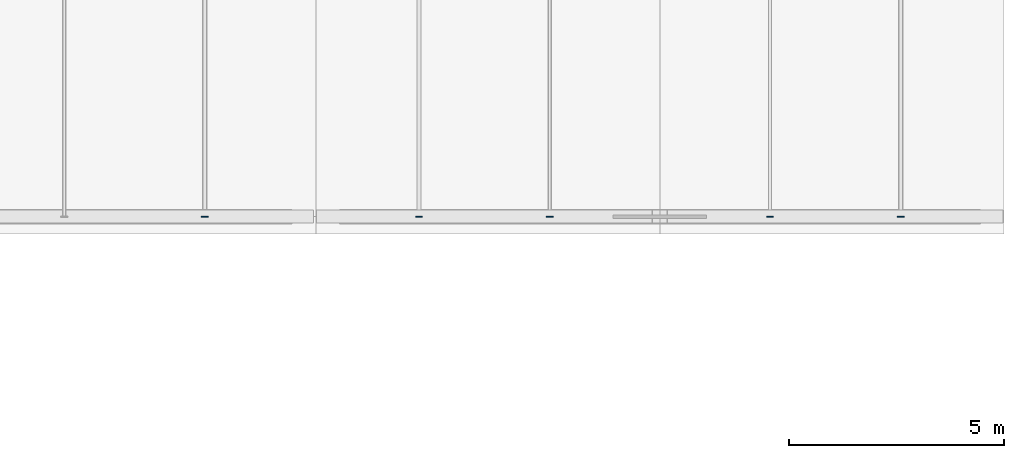
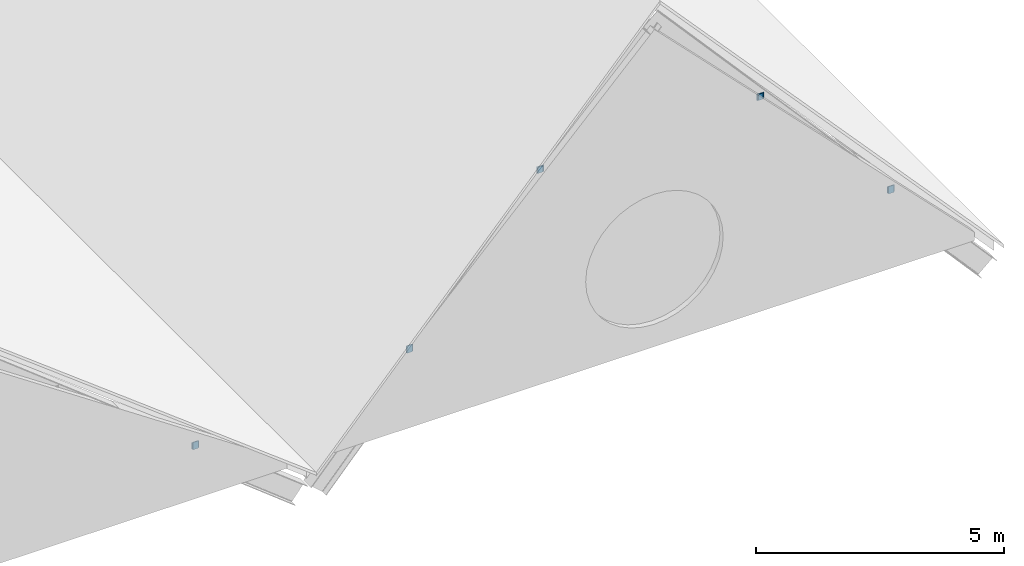
# One storey, part 50 of 64: 10 plates.
"""IFC4 building model written with IfcOpenShell, lengths in metres."""

from ifc_helpers import new_model, si_unit, direction, frame, origin, origin_2d, place, context, subcontext, project, spatial, rectangle, extrude, material, layer, layer_set, type_object, element, save


model = new_model("IFC4")

# Units and contexts
model_context = context("Model", 3, precision=1e-05, world=origin(), true_north=direction((0.0, 1.0)))
body_context = subcontext(model_context, "Body", "Model", "MODEL_VIEW")
ifc_project = project(units=[si_unit("LENGTHUNIT", "METRE"), si_unit("AREAUNIT", "SQUARE_METRE"), si_unit("VOLUMEUNIT", "CUBIC_METRE"), si_unit("PLANEANGLEUNIT", "RADIAN"), si_unit("MASSUNIT", "GRAM", prefix="KILO")], contexts=[model_context])

# Site, building, storey
site_placement = place(None, origin())
site = spatial("IfcSite", under=ifc_project, at=site_placement, CompositionType="ELEMENT")
building_placement = place(site_placement, origin())
building = spatial("IfcBuilding", under=site, at=building_placement, Name="Zhaolan Boulevard Law Courts", CompositionType="ELEMENT")
storey_placement = place(building_placement, frame((0.0, 0.0, 20.39990234375)))
storey = spatial("IfcBuildingStorey", under=building, at=storey_placement, Name="L04", CompositionType="ELEMENT", Elevation=20.39990234375)

# Plates
ifc_material = material(Name="Structural steel Q355B", Category="steel")
ifc_layer = layer(ifc_material, 0.02001953125)
ifc_layer_set = layer_set([ifc_layer])
plate_type = type_object("IfcPlateType", Name="END CAP PLATE 20", PredefinedType="SHEET", material=ifc_layer_set)
for number, where, z_axis, x_axis, name in (
    (1, (145.419921875, 62.0, 1.3251953125), (0.0, 0.0, 1.0), (1.0, 0.0, 0.0), "Purlin End-Cap Plate ECP-GPR6ES"),
    (2, (150.39990234375, 62.0, 1.953125), (0.0, 0.0, 1.0), (1.0, 0.0, 0.0), "Purlin End-Cap Plate ECP-GPR7WS"),
    (3, (161.60009765625, 62.0, 1.953125), (0.0, 0.0, 1.0), (1.0, 0.0, 0.0), "Purlin End-Cap Plate ECP-GPR7ES"),
    (4, (153.43994140625, 62.0, 5.29736328125), (0.0, 0.0, 1.0), (1.0, 0.0, 0.0), "Purlin End-Cap Plate ECP-GPR7WS"),
    (5, (158.56005859375, 62.0, 5.29736328125), (0.0, 0.0, 1.0), (1.0, 0.0, 0.0), "Purlin End-Cap Plate ECP-GPR7ES"),
):
    element("IfcPlate", number, at=place(storey_placement, frame(where, z_axis=z_axis, x_axis=x_axis)), inside=storey, type_object=plate_type, Name=name, PredefinedType="SHEET", context=body_context, shape_type="SweptSolid", body=[
        extrude(rectangle(XDim=0.159912109375, YDim=0.02001953125, at=origin_2d()), origin(), (0.0, 0.0, 1.0), 0.159912109375),
    ])
for number, where, z_axis, x_axis, name in (
    (6, (145.419921875, 61.991943359375, 1.31494140625), (0.0, 0.0, 1.0), (0.0, 1.0, 0.0), "Hollow Section End-Cap Plate ECP-1467"),
    (7, (150.39990234375, 61.991943359375, 1.943359375), (0.0, 0.0, 1.0), (0.0, 1.0, 0.0), "Hollow Section End-Cap Plate ECP-1473"),
    (8, (161.60009765625, 61.991943359375, 1.943359375), (0.0, 0.0, 1.0), (0.0, 1.0, 0.0), "Hollow Section End-Cap Plate ECP-1475"),
):
    element("IfcPlate", number, at=place(storey_placement, frame(where, z_axis=z_axis, x_axis=x_axis)), inside=storey, type_object=plate_type, Name=name, PredefinedType="SHEET", context=body_context, shape_type="SweptSolid", body=[
        extrude(rectangle(XDim=0.02001953125, YDim=0.1298828125, at=origin_2d()), origin(), (0.0, 0.0, 1.0), 0.179931640625),
    ])
for number, where, z_axis, x_axis, name in (
    (9, (153.43994140625, 61.991943359375, 5.30224609375), (0.0, 0.0, 1.0), (0.0, 1.0, 0.0), "Hollow Section End-Cap Plate ECP-1477"),
    (10, (158.56005859375, 61.991943359375, 5.30224609375), (0.0, 0.0, 1.0), (0.0, 1.0, 0.0), "Hollow Section End-Cap Plate ECP-1479"),
):
    element("IfcPlate", number, at=place(storey_placement, frame(where, z_axis=z_axis, x_axis=x_axis)), inside=storey, type_object=plate_type, Name=name, PredefinedType="SHEET", context=body_context, shape_type="SweptSolid", body=[
        extrude(rectangle(XDim=0.02001953125, YDim=0.110107421875, at=origin_2d()), origin(), (0.0, 0.0, 1.0), 0.14990234375),
    ])

save(model, "model.ifc")
